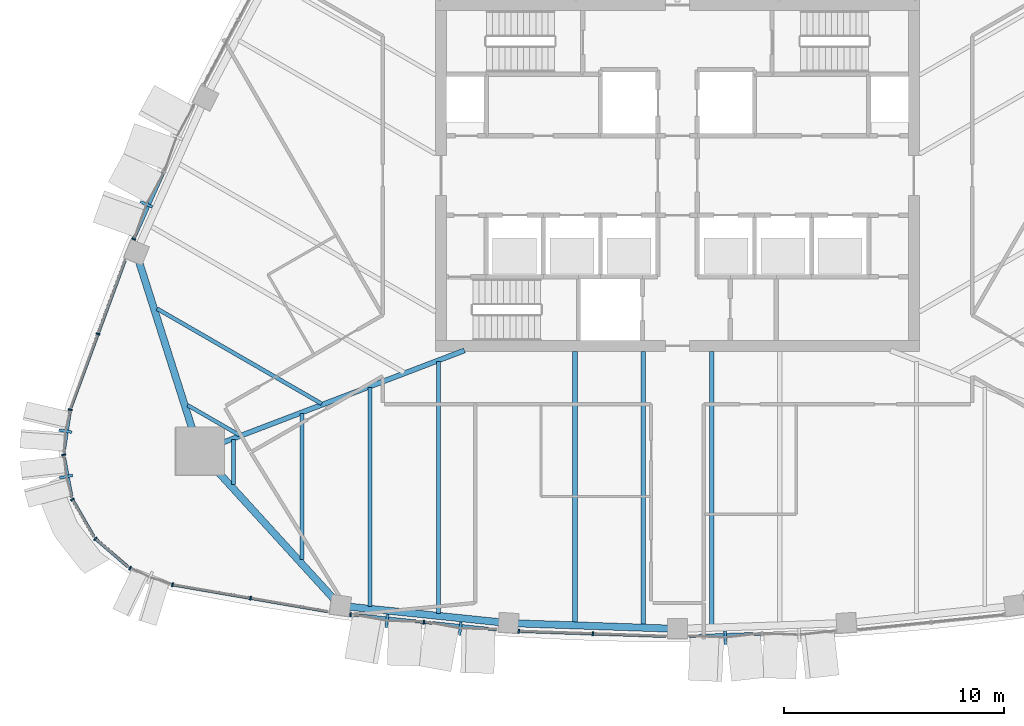
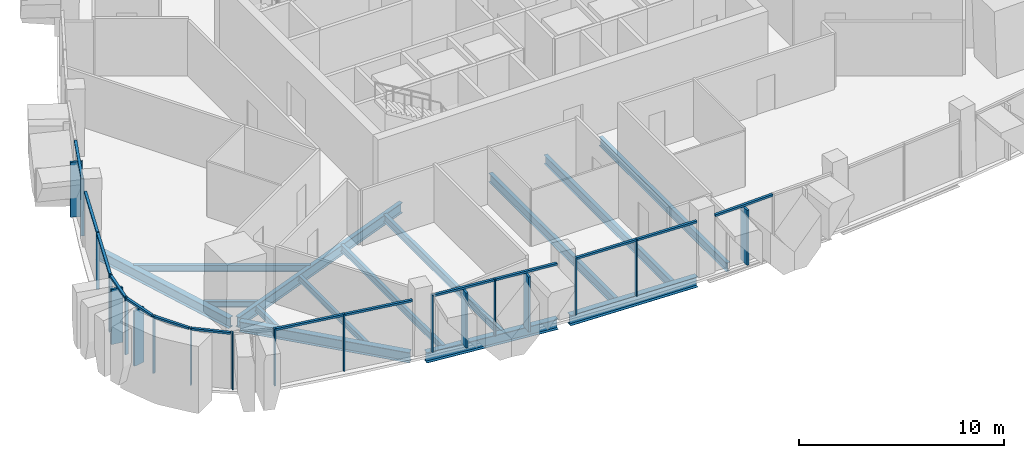
# One storey, part 2 of 18: 33 members, 14 beams, 11 elements without a shape of their own.
"""IFC4 building model written with IfcOpenShell, lengths in metres."""

from ifc_helpers import new_model, si_unit, direction, frame, origin, origin_2d, place, context, subcontext, project, spatial, rectangle, i_section, extrude, material, layer, layer_set, material_profile, profile_set, type_object, element, aggregate, save


model = new_model("IFC4")

# Units and contexts
model_context = context("Model", 3, precision=1e-05, world=origin(), true_north=direction((0.0, 1.0)))
body_context = subcontext(model_context, "Body", "Model", "MODEL_VIEW")
ifc_project = project(units=[si_unit("LENGTHUNIT", "METRE"), si_unit("AREAUNIT", "SQUARE_METRE"), si_unit("VOLUMEUNIT", "CUBIC_METRE"), si_unit("PLANEANGLEUNIT", "RADIAN"), si_unit("MASSUNIT", "GRAM", prefix="KILO")], contexts=[model_context])

# Site, building, storey
site_placement = place(None, origin())
site = spatial("IfcSite", under=ifc_project, at=site_placement, CompositionType="ELEMENT")
building_placement = place(site_placement, origin())
building = spatial("IfcBuilding", under=site, at=building_placement, Name="Sierra Prisma Convention Tower", CompositionType="ELEMENT")
storey_placement = place(building_placement, frame((0.0, 0.0, 251.0)))
storey = spatial("IfcBuildingStorey", under=building, at=storey_placement, Name="L56", CompositionType="ELEMENT", Elevation=251.0)

# Curtain wall, members
ifc_material_1 = material(Name="Aluminium and glass curtain wall", Category="aluminium")
ifc_layer_1 = layer(ifc_material_1, 0.179931640625)
ifc_layer_set_1 = layer_set([ifc_layer_1], Name="CW-2 Faceted crystal curtain wall")
curtain_wall_type_1 = type_object("IfcCurtainWallType", Name="CW-2 Faceted crystal curtain wall", PredefinedType="NOTDEFINED", material=ifc_layer_set_1)
curtain_wall_1_placement = place(storey_placement, origin())
curtain_wall_1 = element("IfcCurtainWall", 1, at=curtain_wall_1_placement, inside=storey, type_object=curtain_wall_type_1, Name="CW-2 S2 L56", PredefinedType="NOTDEFINED")
ifc_material_2 = material(Name="Aluminium 6063-T6 bronze anodised", Category="aluminium")
ifc_material_profile_1 = material_profile(ifc_material_2, rectangle(XDim=0.1201171875, YDim=0.60009765625, at=origin_2d()), Name="ALU RIDGE BLADE 120x600")
ifc_profile_set_1 = profile_set([ifc_material_profile_1], Name="Aluminium 6063-T6 bronze anodised")
member_type_1 = type_object("IfcMemberType", Name="CW hip bronze", PredefinedType="MULLION", material=ifc_profile_set_1)
member_1_placement = place(storey_placement, frame((-13.208740234375, -20.2646484375, 0.0), z_axis=(0.0, 0.0, 1.0), x_axis=(0.99474417326, -0.102391551236, 0.0)))
member_1 = element("IfcMember", 2, at=member_1_placement, type_object=member_type_1, Name="CW-2 ridge S2.1", PredefinedType="MULLION", context=body_context, shape_type="SweptSolid", body=[
    extrude(rectangle(XDim=0.1201171875, YDim=0.60009765625, at=origin_2d()), origin(), (0.0, 0.0, 1.0), 3.280029296875),
])
member_2_placement = place(storey_placement, frame((-9.875, -20.607666015625, 0.0), z_axis=(0.0, 0.0, 1.0), x_axis=(0.99474417326, -0.102391551236, 0.0)))
member_2 = element("IfcMember", 3, at=member_2_placement, type_object=member_type_1, Name="CW-2 ridge S2.2", PredefinedType="MULLION", context=body_context, shape_type="SweptSolid", body=[
    extrude(rectangle(XDim=0.1201171875, YDim=0.60009765625, at=origin_2d()), origin(), (0.0, 0.0, 1.0), 3.280029296875),
])

# Curtain wall, member
curtain_wall_2_placement = place(storey_placement, origin())
curtain_wall_2 = element("IfcCurtainWall", 4, at=curtain_wall_2_placement, inside=storey, type_object=curtain_wall_type_1, Name="CW-2 S4 L56", PredefinedType="NOTDEFINED")
member_3_placement = place(storey_placement, frame((2.171875, -21.019775390625, 0.0), z_axis=(0.0, 0.0, 1.0), x_axis=(0.999415563919, 0.034183776803, 0.0)))
member_3 = element("IfcMember", 5, at=member_3_placement, type_object=member_type_1, Name="CW-2 ridge S4.1", PredefinedType="MULLION", context=body_context, shape_type="SweptSolid", body=[
    extrude(rectangle(XDim=0.1201171875, YDim=0.60009765625, at=origin_2d()), origin(), (0.0, 0.0, 1.0), 3.280029296875),
])

curtain_wall_3_placement = place(storey_placement, origin())
curtain_wall_3 = element("IfcCurtainWall", 6, at=curtain_wall_3_placement, inside=storey, type_object=curtain_wall_type_1, Name="CW-2 NW5 L56", PredefinedType="NOTDEFINED")
member_4_placement = place(storey_placement, frame((-24.154052734375, -1.306884765625, 0.0), z_axis=(0.0, 0.0, 1.0), x_axis=(-0.408698402127, -0.912669499928, 0.0)))
member_4 = element("IfcMember", 7, at=member_4_placement, type_object=member_type_1, Name="CW-2 ridge NW5.2", PredefinedType="MULLION", context=body_context, shape_type="SweptSolid", body=[
    extrude(rectangle(XDim=0.1201171875, YDim=0.60009765625, at=origin_2d()), origin(), (0.0, 0.0, 1.0), 3.280029296875),
])

curtain_wall_4_placement = place(storey_placement, origin())
curtain_wall_4 = element("IfcCurtainWall", 8, at=curtain_wall_4_placement, inside=storey, type_object=curtain_wall_type_1, Name="CW-2 SW1 L56", PredefinedType="NOTDEFINED")
member_5_placement = place(storey_placement, frame((-27.83251953125, -11.626708984375, 0.0), z_axis=(0.0, 0.0, 1.0), x_axis=(-0.149482789255, -0.988764327692, 0.0)))
member_5 = element("IfcMember", 9, at=member_5_placement, type_object=member_type_1, Name="CW-2 ridge SW1.1", PredefinedType="MULLION", context=body_context, shape_type="SweptSolid", body=[
    extrude(rectangle(XDim=0.1201171875, YDim=0.60009765625, at=origin_2d()), origin(), (0.0, 0.0, 1.0), 3.280029296875),
])

curtain_wall_5_placement = place(storey_placement, origin())
curtain_wall_5 = element("IfcCurtainWall", 10, at=curtain_wall_5_placement, inside=storey, type_object=curtain_wall_type_1, Name="CW-2 SW2 L56", PredefinedType="NOTDEFINED")
member_6_placement = place(storey_placement, frame((-27.79443359375, -13.693603515625, 0.0), z_axis=(0.0, 0.0, 1.0), x_axis=(0.185692729038, -0.982607861958, 0.0)))
member_6 = element("IfcMember", 11, at=member_6_placement, type_object=member_type_1, Name="CW-2 ridge SW2.1", PredefinedType="MULLION", context=body_context, shape_type="SweptSolid", body=[
    extrude(rectangle(XDim=0.1201171875, YDim=0.60009765625, at=origin_2d()), origin(), (0.0, 0.0, 1.0), 3.280029296875),
])

# Curtain wall, members
ifc_material_3 = material(Name="Aluminium and glass curtain wall", Category="aluminium")
ifc_layer_2 = layer(ifc_material_3, 0.179931640625)
ifc_layer_set_2 = layer_set([ifc_layer_2], Name="CW-1 Plain shaft curtain wall")
curtain_wall_type_2 = type_object("IfcCurtainWallType", Name="CW-1 Plain shaft curtain wall", PredefinedType="NOTDEFINED", material=ifc_layer_set_2)
curtain_wall_6_placement = place(storey_placement, origin())
curtain_wall_6 = element("IfcCurtainWall", 12, at=curtain_wall_6_placement, inside=storey, type_object=curtain_wall_type_2, Name="CW-1 S1 L56", PredefinedType="NOTDEFINED")
ifc_material_4 = material(Name="Aluminium 6063-T6 bronze anodised", Category="aluminium")
ifc_material_profile_2 = material_profile(ifc_material_4, rectangle(XDim=0.179931640625, YDim=0.070068359375, at=origin_2d()), Name="ALU MULLION 70x180")
ifc_profile_set_2 = profile_set([ifc_material_profile_2], Name="Aluminium 6063-T6 bronze anodised")
member_type_2 = type_object("IfcMemberType", Name="CW mullion bronze", PredefinedType="MULLION", material=ifc_profile_set_2)
member_7_placement = place(storey_placement, frame((-22.958740234375, -18.603515625, 0.0), z_axis=(0.0, 0.0, 1.0), x_axis=(0.170120735044, 0.985423226592, 0.0)))
member_7 = element("IfcMember", 13, at=member_7_placement, type_object=member_type_2, Name="CW-1 mullion S1.1", PredefinedType="MULLION", context=body_context, shape_type="SweptSolid", body=[
    extrude(rectangle(XDim=0.179931640625, YDim=0.070068359375, at=origin_2d()), origin(), (0.0, 0.0, 1.0), 3.39990234375),
])
member_8_placement = place(storey_placement, frame((-19.412841796875, -19.215576171875, 0.0), z_axis=(0.0, 0.0, 1.0), x_axis=(0.170120735044, 0.985423226592, 0.0)))
member_8 = element("IfcMember", 14, at=member_8_placement, type_object=member_type_2, Name="CW-1 mullion S1.2", PredefinedType="MULLION", context=body_context, shape_type="SweptSolid", body=[
    extrude(rectangle(XDim=0.179931640625, YDim=0.070068359375, at=origin_2d()), origin(), (0.0, 0.0, 1.0), 3.39990234375),
])

# Member
member_9_placement = place(storey_placement, frame((-14.862548828125, -19.964599609375, 0.0), z_axis=(0.0, 0.0, 1.0), x_axis=(0.102391551236, 0.99474417326, 0.0)))
member_9 = element("IfcMember", 15, at=member_9_placement, type_object=member_type_2, Name="CW-1 mullion S2.1", PredefinedType="MULLION", context=body_context, shape_type="SweptSolid", body=[
    extrude(rectangle(XDim=0.179931640625, YDim=0.070068359375, at=origin_2d()), origin(), (0.0, 0.0, 1.0), 3.39990234375),
])

member_10_placement = place(storey_placement, frame((-11.52880859375, -20.3076171875, 0.0), z_axis=(0.0, 0.0, 1.0), x_axis=(0.102391551236, 0.99474417326, 0.0)))
member_10 = element("IfcMember", 16, at=member_10_placement, type_object=member_type_2, Name="CW-1 mullion S2.2", PredefinedType="MULLION", context=body_context, shape_type="SweptSolid", body=[
    extrude(rectangle(XDim=0.179931640625, YDim=0.070068359375, at=origin_2d()), origin(), (0.0, 0.0, 1.0), 3.39990234375),
])

# Curtain wall, members
curtain_wall_7_placement = place(storey_placement, origin())
curtain_wall_7 = element("IfcCurtainWall", 17, at=curtain_wall_7_placement, inside=storey, type_object=curtain_wall_type_2, Name="CW-1 S3 L56", PredefinedType="NOTDEFINED")
member_11_placement = place(storey_placement, frame((-7.215576171875, -20.717529296875, 0.0), z_axis=(0.0, 0.0, 1.0), x_axis=(0.034183776803, 0.999415563919, 0.0)))
member_11 = element("IfcMember", 18, at=member_11_placement, type_object=member_type_2, Name="CW-1 mullion S3.1", PredefinedType="MULLION", context=body_context, shape_type="SweptSolid", body=[
    extrude(rectangle(XDim=0.179931640625, YDim=0.070068359375, at=origin_2d()), origin(), (0.0, 0.0, 1.0), 3.39990234375),
])
member_12_placement = place(storey_placement, frame((-3.85009765625, -20.83251953125, 0.0), z_axis=(0.0, 0.0, 1.0), x_axis=(0.034183776803, 0.999415563919, 0.0)))
member_12 = element("IfcMember", 19, at=member_12_placement, type_object=member_type_2, Name="CW-1 mullion S3.2", PredefinedType="MULLION", context=body_context, shape_type="SweptSolid", body=[
    extrude(rectangle(XDim=0.179931640625, YDim=0.070068359375, at=origin_2d()), origin(), (0.0, 0.0, 1.0), 3.39990234375),
])

# Member
member_13_placement = place(storey_placement, frame((-24.720947265625, -2.88916015625, 0.0), z_axis=(0.0, 0.0, 1.0), x_axis=(0.912669499928, -0.408698402127, 0.0)))
member_13 = element("IfcMember", 20, at=member_13_placement, type_object=member_type_2, Name="CW-1 mullion NW5.3", PredefinedType="MULLION", context=body_context, shape_type="SweptSolid", body=[
    extrude(rectangle(XDim=0.179931640625, YDim=0.070068359375, at=origin_2d()), origin(), (0.0, 0.0, 1.0), 3.39990234375),
])

# Curtain wall, member
curtain_wall_8_placement = place(storey_placement, origin())
curtain_wall_8 = element("IfcCurtainWall", 21, at=curtain_wall_8_placement, inside=storey, type_object=curtain_wall_type_2, Name="CW-1 NW6 L56", PredefinedType="NOTDEFINED")
member_14_placement = place(storey_placement, frame((-26.34765625, -7.2041015625, 0.0), z_axis=(0.0, 0.0, 1.0), x_axis=(0.938461915231, -0.345382735037, 0.0)))
member_14 = element("IfcMember", 22, at=member_14_placement, type_object=member_type_2, Name="CW-1 mullion NW6.2", PredefinedType="MULLION", context=body_context, shape_type="SweptSolid", body=[
    extrude(rectangle(XDim=0.179931640625, YDim=0.070068359375, at=origin_2d()), origin(), (0.0, 0.0, 1.0), 3.39990234375),
])

# Member
member_15_placement = place(storey_placement, frame((-27.60791015625, -10.648681640625, 0.0), z_axis=(0.0, 0.0, 1.0), x_axis=(0.988764327692, -0.149482789255, 0.0)))
member_15 = element("IfcMember", 23, at=member_15_placement, type_object=member_type_2, Name="CW-1 mullion SW1.1", PredefinedType="MULLION", context=body_context, shape_type="SweptSolid", body=[
    extrude(rectangle(XDim=0.179931640625, YDim=0.070068359375, at=origin_2d()), origin(), (0.0, 0.0, 1.0), 3.39990234375),
])

member_16_placement = place(storey_placement, frame((-27.90576171875, -12.6962890625, 0.0), z_axis=(0.0, 0.0, 1.0), x_axis=(0.982607861958, 0.185692729038, 0.0)))
member_16 = element("IfcMember", 24, at=member_16_placement, type_object=member_type_2, Name="CW-1 mullion SW2.1", PredefinedType="MULLION", context=body_context, shape_type="SweptSolid", body=[
    extrude(rectangle(XDim=0.179931640625, YDim=0.070068359375, at=origin_2d()), origin(), (0.0, 0.0, 1.0), 3.39990234375),
])

# Curtain wall, member
curtain_wall_9_placement = place(storey_placement, origin())
curtain_wall_9 = element("IfcCurtainWall", 25, at=curtain_wall_9_placement, inside=storey, type_object=curtain_wall_type_2, Name="CW-1 SW3 L56", PredefinedType="NOTDEFINED")
member_17_placement = place(storey_placement, frame((-27.510009765625, -14.7275390625, 0.0), z_axis=(0.0, 0.0, 1.0), x_axis=(0.866025403784, 0.5, 0.0)))
member_17 = element("IfcMember", 26, at=member_17_placement, type_object=member_type_2, Name="CW-1 mullion SW3.1", PredefinedType="MULLION", context=body_context, shape_type="SweptSolid", body=[
    extrude(rectangle(XDim=0.179931640625, YDim=0.070068359375, at=origin_2d()), origin(), (0.0, 0.0, 1.0), 3.39990234375),
])

curtain_wall_10_placement = place(storey_placement, origin())
curtain_wall_10 = element("IfcCurtainWall", 27, at=curtain_wall_10_placement, inside=storey, type_object=curtain_wall_type_2, Name="CW-1 SW4 L56", PredefinedType="NOTDEFINED")
member_18_placement = place(storey_placement, frame((-26.46533203125, -16.513916015625, 0.0), z_axis=(0.0, 0.0, 1.0), x_axis=(0.652118551624, 0.758117005895, 0.0)))
member_18 = element("IfcMember", 28, at=member_18_placement, type_object=member_type_2, Name="CW-1 mullion SW4.1", PredefinedType="MULLION", context=body_context, shape_type="SweptSolid", body=[
    extrude(rectangle(XDim=0.179931640625, YDim=0.070068359375, at=origin_2d()), origin(), (0.0, 0.0, 1.0), 3.39990234375),
])

curtain_wall_11_placement = place(storey_placement, origin())
curtain_wall_11 = element("IfcCurtainWall", 29, at=curtain_wall_11_placement, inside=storey, type_object=curtain_wall_type_1, Name="CW-2 SW5 L56", PredefinedType="NOTDEFINED")
member_19_placement = place(storey_placement, frame((-24.88916015625, -17.8544921875, 0.0), z_axis=(0.0, 0.0, 1.0), x_axis=(0.364926270923, 0.931036420765, 0.0)))
member_19 = element("IfcMember", 30, at=member_19_placement, type_object=member_type_2, Name="CW-1 mullion SW5.1", PredefinedType="MULLION", context=body_context, shape_type="SweptSolid", body=[
    extrude(rectangle(XDim=0.179931640625, YDim=0.070068359375, at=origin_2d()), origin(), (0.0, 0.0, 1.0), 3.39990234375),
])
aggregate(curtain_wall_11, [member_19])

# Member
ifc_material_5 = material(Name="Aluminium 6063-T6 bronze anodised", Category="aluminium")
ifc_material_profile_3 = material_profile(ifc_material_5, rectangle(XDim=0.139892578125, YDim=0.1201171875, at=origin_2d()), Name="ALU TRANSOM 120x140")
ifc_profile_set_3 = profile_set([ifc_material_profile_3], Name="Aluminium 6063-T6 bronze anodised")
member_type_3 = type_object("IfcMemberType", Name="CW transom bronze", PredefinedType="USERDEFINED", material=ifc_profile_set_3)
member_20_placement = place(storey_placement, frame((-22.92431640625, -18.609375, 3.340087890625), z_axis=(0.985419739795, -0.17014093106, 0.0), x_axis=(0.17014093106, 0.985419739795, 0.0)))
member_20 = element("IfcMember", 31, at=member_20_placement, type_object=member_type_3, Name="CW-1 transom S1.1", ObjectType="TRANSOM", PredefinedType="USERDEFINED", context=body_context, shape_type="SweptSolid", body=[
    extrude(rectangle(XDim=0.139892578125, YDim=0.1201171875, at=origin_2d()), origin(), (0.0, 0.0, 1.0), 3.528564453125),
])

member_21_placement = place(storey_placement, frame((-19.378173828125, -19.2216796875, 3.340087890625), z_axis=(0.985431338238, -0.170073741707, 0.0), x_axis=(0.170073741707, 0.985431338238, 0.0)))
member_21 = element("IfcMember", 32, at=member_21_placement, type_object=member_type_3, Name="CW-1 transom S1.2", ObjectType="TRANSOM", PredefinedType="USERDEFINED", context=body_context, shape_type="SweptSolid", body=[
    extrude(rectangle(XDim=0.139892578125, YDim=0.1201171875, at=origin_2d()), origin(), (0.0, 0.0, 1.0), 3.528564453125),
])

aggregate(curtain_wall_6, [member_7, member_8, member_20, member_21])

member_22_placement = place(storey_placement, frame((-14.82763671875, -19.968017578125, 3.340087890625), z_axis=(0.994738170949, -0.102449847524, 0.0), x_axis=(0.102449847524, 0.994738170949, 0.0)))
member_22 = element("IfcMember", 33, at=member_22_placement, type_object=member_type_3, Name="CW-1 transom S2.1", ObjectType="TRANSOM", PredefinedType="USERDEFINED", context=body_context, shape_type="SweptSolid", body=[
    extrude(rectangle(XDim=0.139892578125, YDim=0.1201171875, at=origin_2d()), origin(), (0.0, 0.0, 1.0), 3.281494140625),
])

member_23_placement = place(storey_placement, frame((-11.493896484375, -20.311279296875, 3.340087890625), z_axis=(0.994745750521, -0.10237622683, 0.0), x_axis=(0.10237622683, 0.994745750521, 0.0)))
member_23 = element("IfcMember", 34, at=member_23_placement, type_object=member_type_3, Name="CW-1 transom S2.2", ObjectType="TRANSOM", PredefinedType="USERDEFINED", context=body_context, shape_type="SweptSolid", body=[
    extrude(rectangle(XDim=0.139892578125, YDim=0.1201171875, at=origin_2d()), origin(), (0.0, 0.0, 1.0), 3.281494140625),
])

aggregate(curtain_wall_1, [member_9, member_10, member_22, member_1, member_23, member_2])

member_24_placement = place(storey_placement, frame((-7.180419921875, -20.71875, 3.340087890625), z_axis=(0.99941728892, -0.03413330643, 0.0), x_axis=(0.03413330643, 0.99941728892, 0.0)))
member_24 = element("IfcMember", 35, at=member_24_placement, type_object=member_type_3, Name="CW-1 transom S3.1", ObjectType="TRANSOM", PredefinedType="USERDEFINED", context=body_context, shape_type="SweptSolid", body=[
    extrude(rectangle(XDim=0.139892578125, YDim=0.1201171875, at=origin_2d()), origin(), (0.0, 0.0, 1.0), 3.29736328125),
])

member_25_placement = place(storey_placement, frame((-3.815185546875, -20.833740234375, 3.340087890625), z_axis=(0.999414760369, -0.034207261764, 0.0), x_axis=(0.034207261764, 0.999414760369, 0.0)))
member_25 = element("IfcMember", 36, at=member_25_placement, type_object=member_type_3, Name="CW-1 transom S3.2", ObjectType="TRANSOM", PredefinedType="USERDEFINED", context=body_context, shape_type="SweptSolid", body=[
    extrude(rectangle(XDim=0.139892578125, YDim=0.1201171875, at=origin_2d()), origin(), (0.0, 0.0, 1.0), 3.29736328125),
])

aggregate(curtain_wall_7, [member_11, member_12, member_24, member_25])

member_26_placement = place(storey_placement, frame((0.519775390625, -20.946533203125, 3.340087890625), z_axis=(0.999414760369, 0.034207261764, 0.0), x_axis=(-0.034207261764, 0.999414760369, 0.0)))
member_26 = element("IfcMember", 37, at=member_26_placement, type_object=member_type_3, Name="CW-1 transom S4.1", ObjectType="TRANSOM", PredefinedType="USERDEFINED", context=body_context, shape_type="SweptSolid", body=[
    extrude(rectangle(XDim=0.139892578125, YDim=0.1201171875, at=origin_2d()), origin(), (0.0, 0.0, 1.0), 3.29736328125),
])

aggregate(curtain_wall_2, [member_26, member_3])

member_27_placement = place(storey_placement, frame((-23.36572265625, 0.1376953125, 3.340087890625), z_axis=(-0.408684160297, -0.912675877364, 0.0), x_axis=(0.912675877364, -0.408684160297, 0.0)))
member_27 = element("IfcMember", 38, at=member_27_placement, type_object=member_type_3, Name="CW-1 transom NW5.2", ObjectType="TRANSOM", PredefinedType="USERDEFINED", context=body_context, shape_type="SweptSolid", body=[
    extrude(rectangle(XDim=0.139892578125, YDim=0.1201171875, at=origin_2d()), origin(), (0.0, 0.0, 1.0), 3.281494140625),
])

aggregate(curtain_wall_3, [member_13, member_27, member_4])

member_28_placement = place(storey_placement, frame((-25.116943359375, -3.85986328125, 3.340087890625), z_axis=(-0.345323776593, -0.938483611642, 0.0), x_axis=(0.938483611642, -0.345323776593, 0.0)))
member_28 = element("IfcMember", 39, at=member_28_placement, type_object=member_type_3, Name="CW-1 transom NW6.1", ObjectType="TRANSOM", PredefinedType="USERDEFINED", context=body_context, shape_type="SweptSolid", body=[
    extrude(rectangle(XDim=0.139892578125, YDim=0.1201171875, at=origin_2d()), origin(), (0.0, 0.0, 1.0), 3.528564453125),
])

member_29_placement = place(storey_placement, frame((-26.359619140625, -7.237060546875, 3.340087890625), z_axis=(-0.345407140143, -0.938452933044, 0.0), x_axis=(0.938452933044, -0.345407140143, 0.0)))
member_29 = element("IfcMember", 40, at=member_29_placement, type_object=member_type_3, Name="CW-1 transom NW6.2", ObjectType="TRANSOM", PredefinedType="USERDEFINED", context=body_context, shape_type="SweptSolid", body=[
    extrude(rectangle(XDim=0.139892578125, YDim=0.1201171875, at=origin_2d()), origin(), (0.0, 0.0, 1.0), 3.528564453125),
])

aggregate(curtain_wall_8, [member_14, member_28, member_29])

member_30_placement = place(storey_placement, frame((-27.613037109375, -10.68310546875, 3.340087890625), z_axis=(-0.149415926956, -0.988774433717, 0.0), x_axis=(0.988774433717, -0.149415926956, 0.0)))
member_30 = element("IfcMember", 41, at=member_30_placement, type_object=member_type_3, Name="CW-1 transom SW1.1", ObjectType="TRANSOM", PredefinedType="USERDEFINED", context=body_context, shape_type="SweptSolid", body=[
    extrude(rectangle(XDim=0.139892578125, YDim=0.1201171875, at=origin_2d()), origin(), (0.0, 0.0, 1.0), 1.931396484375),
])

aggregate(curtain_wall_4, [member_15, member_30, member_5])

member_31_placement = place(storey_placement, frame((-27.899169921875, -12.730712890625, 3.340087890625), z_axis=(0.18570035161, -0.982606421418, 0.0), x_axis=(0.982606421418, 0.18570035161, 0.0)))
member_31 = element("IfcMember", 42, at=member_31_placement, type_object=member_type_3, Name="CW-1 transom SW2.1", ObjectType="TRANSOM", PredefinedType="USERDEFINED", context=body_context, shape_type="SweptSolid", body=[
    extrude(rectangle(XDim=0.139892578125, YDim=0.1201171875, at=origin_2d()), origin(), (0.0, 0.0, 1.0), 1.931396484375),
])

aggregate(curtain_wall_5, [member_16, member_31, member_6])

member_32_placement = place(storey_placement, frame((-27.49267578125, -14.7578125, 3.340087890625), z_axis=(0.500054350137, -0.865994022444, 0.0), x_axis=(0.865994022444, 0.500054350137, 0.0)))
member_32 = element("IfcMember", 43, at=member_32_placement, type_object=member_type_3, Name="CW-1 transom SW3.1", ObjectType="TRANSOM", PredefinedType="USERDEFINED", context=body_context, shape_type="SweptSolid", body=[
    extrude(rectangle(XDim=0.139892578125, YDim=0.1201171875, at=origin_2d()), origin(), (0.0, 0.0, 1.0), 1.931396484375),
])

aggregate(curtain_wall_9, [member_17, member_32])

member_33_placement = place(storey_placement, frame((-26.43896484375, -16.53662109375, 3.340087890625), z_axis=(0.758086448141, -0.652154074697, 0.0), x_axis=(0.652154074697, 0.758086448141, 0.0)))
member_33 = element("IfcMember", 44, at=member_33_placement, type_object=member_type_3, Name="CW-1 transom SW4.1", ObjectType="TRANSOM", PredefinedType="USERDEFINED", context=body_context, shape_type="SweptSolid", body=[
    extrude(rectangle(XDim=0.139892578125, YDim=0.1201171875, at=origin_2d()), origin(), (0.0, 0.0, 1.0), 1.931396484375),
])

aggregate(curtain_wall_10, [member_18, member_33])

# Beams
ifc_material_6 = material(Name="Steel ASTM A992 Gr 50", Category="steel")
ifc_material_profile_4 = material_profile(ifc_material_6, i_section(OverallWidth=0.172119140625, OverallDepth=0.35791015625, WebThickness=0.0078125, FlangeThickness=0.01318359375, at=origin_2d()), Name="W360x57")
ifc_profile_set_4 = profile_set([ifc_material_profile_4], Name="Steel ASTM A992 Gr 50")
beam_type_1 = type_object("IfcBeamType", Name="Floor joist W360x57", PredefinedType="JOIST", material=ifc_profile_set_4)
beam_1_placement = place(storey_placement, frame((-20.18212890625, -14.060546875, -0.3291015625), z_axis=(0.0, 1.0, 0.0), x_axis=(-1.0, 0.0, 0.0)))
element("IfcBeam", 45, at=beam_1_placement, inside=storey, type_object=beam_type_1, Name="Floor joist L56 S01", PredefinedType="JOIST", context=body_context, shape_type="SweptSolid", body=[
    extrude(i_section(OverallWidth=0.172119140625, OverallDepth=0.35791015625, WebThickness=0.0078125, FlangeThickness=0.01318359375, at=origin_2d()), origin(), (0.0, 0.0, 1.0), 2.054443359375),
])
beam_2_placement = place(storey_placement, frame((-17.0771484375, -17.467529296875, -0.3291015625), z_axis=(0.0, 1.0, 0.0), x_axis=(-1.0, 0.0, 0.0)))
element("IfcBeam", 46, at=beam_2_placement, inside=storey, type_object=beam_type_1, Name="Floor joist L56 S02", PredefinedType="JOIST", context=body_context, shape_type="SweptSolid", body=[
    extrude(i_section(OverallWidth=0.172119140625, OverallDepth=0.35791015625, WebThickness=0.0078125, FlangeThickness=0.01318359375, at=origin_2d()), origin(), (0.0, 0.0, 1.0), 6.644775390625),
])
beam_3_placement = place(storey_placement, frame((-22.26806640625, -10.447998046875, -0.3291015625), z_axis=(0.866016445914, -0.500015515166, 0.0), x_axis=(0.500015515166, 0.866016445914, 0.0)))
element("IfcBeam", 47, at=beam_3_placement, inside=storey, type_object=beam_type_1, Name="Floor joist L56 NW14", PredefinedType="JOIST", context=body_context, shape_type="SweptSolid", body=[
    extrude(i_section(OverallWidth=0.172119140625, OverallDepth=0.35791015625, WebThickness=0.0078125, FlangeThickness=0.01318359375, at=origin_2d()), origin(), (0.0, 0.0, 1.0), 2.71630859375),
])
ifc_material_7 = material(Name="Steel ASTM A992 Gr 50", Category="steel")
ifc_material_profile_5 = material_profile(ifc_material_7, i_section(OverallWidth=0.177978515625, OverallDepth=0.406982421875, WebThickness=0.0078125, FlangeThickness=0.0126953125, at=origin_2d()), Name="W410x60")
ifc_profile_set_5 = profile_set([ifc_material_profile_5], Name="Steel ASTM A992 Gr 50")
beam_type_2 = type_object("IfcBeamType", Name="Floor joist W410x60", PredefinedType="JOIST", material=ifc_profile_set_5)
beam_4_placement = place(storey_placement, frame((-13.97216796875, -19.591064453125, -0.353515625), z_axis=(0.0, 1.0, 0.0), x_axis=(-1.0, 0.0, 0.0)))
element("IfcBeam", 48, at=beam_4_placement, inside=storey, type_object=beam_type_2, Name="Floor joist L56 S03", PredefinedType="JOIST", context=body_context, shape_type="SweptSolid", body=[
    extrude(i_section(OverallWidth=0.177978515625, OverallDepth=0.406982421875, WebThickness=0.0078125, FlangeThickness=0.0126953125, at=origin_2d()), origin(), (0.0, 0.0, 1.0), 9.95166015625),
])
beam_5_placement = place(storey_placement, frame((-23.665771484375, -6.0556640625, -0.353515625), z_axis=(0.866028593262, -0.499994475622, 0.0), x_axis=(0.499994475622, 0.866028593262, 0.0)))
element("IfcBeam", 49, at=beam_5_placement, inside=storey, type_object=beam_type_2, Name="Floor joist L56 NW13", PredefinedType="JOIST", context=body_context, shape_type="SweptSolid", body=[
    extrude(i_section(OverallWidth=0.177978515625, OverallDepth=0.406982421875, WebThickness=0.0078125, FlangeThickness=0.0126953125, at=origin_2d()), origin(), (0.0, 0.0, 1.0), 8.6494140625),
])
ifc_material_8 = material(Name="Steel ASTM A992 Gr 50", Category="steel")
ifc_material_profile_6 = material_profile(ifc_material_8, i_section(OverallWidth=0.18994140625, OverallDepth=0.45703125, WebThickness=0.009033203125, FlangeThickness=0.014404296875, at=origin_2d()), Name="W460x74")
ifc_profile_set_6 = profile_set([ifc_material_profile_6], Name="Steel ASTM A992 Gr 50")
beam_type_3 = type_object("IfcBeamType", Name="Floor joist W460x74", PredefinedType="JOIST", material=ifc_profile_set_6)
beam_6_placement = place(storey_placement, frame((-10.867431640625, -19.91064453125, -0.37841796875), z_axis=(0.0, 1.0, 0.0), x_axis=(-1.0, 0.0, 0.0)))
element("IfcBeam", 50, at=beam_6_placement, inside=storey, type_object=beam_type_3, Name="Floor joist L56 S04", PredefinedType="JOIST", context=body_context, shape_type="SweptSolid", body=[
    extrude(i_section(OverallWidth=0.18994140625, OverallDepth=0.45703125, WebThickness=0.009033203125, FlangeThickness=0.014404296875, at=origin_2d()), origin(), (0.0, 0.0, 1.0), 11.45458984375),
])
ifc_material_9 = material(Name="Steel ASTM A992 Gr 50", Category="steel")
ifc_material_profile_7 = material_profile(ifc_material_9, i_section(OverallWidth=0.208984375, OverallDepth=0.532958984375, WebThickness=0.01025390625, FlangeThickness=0.015625, at=origin_2d()), Name="W530x92")
ifc_profile_set_7 = profile_set([ifc_material_profile_7], Name="Steel ASTM A992 Gr 50")
beam_type_4 = type_object("IfcBeamType", Name="Floor joist W530x92", PredefinedType="JOIST", material=ifc_profile_set_7)
beam_7_placement = place(storey_placement, frame((-4.657470703125, -20.34228515625, -0.41650390625), z_axis=(0.0, 1.0, 0.0), x_axis=(-1.0, 0.0, 0.0)))
element("IfcBeam", 51, at=beam_7_placement, inside=storey, type_object=beam_type_4, Name="Floor joist L56 S06", PredefinedType="JOIST", context=body_context, shape_type="SweptSolid", body=[
    extrude(i_section(OverallWidth=0.208984375, OverallDepth=0.532958984375, WebThickness=0.01025390625, FlangeThickness=0.015625, at=origin_2d()), origin(), (0.0, 0.0, 1.0), 12.34228515625),
])
for number, where, z_axis, x_axis, name in (
    (52, (-1.552490234375, -20.448486328125, -0.41650390625), (0.0, 1.0, 0.0), (-1.0, 0.0, 0.0), "Floor joist L56 S07"),
    (53, (1.552490234375, -20.448486328125, -0.41650390625), (0.0, 1.0, 0.0), (-1.0, 0.0, 0.0), "Floor joist L56 S08"),
):
    element("IfcBeam", number, at=place(storey_placement, frame(where, z_axis=z_axis, x_axis=x_axis)), inside=storey, type_object=beam_type_4, Name=name, PredefinedType="JOIST", context=body_context, shape_type="SweptSolid", body=[
        extrude(i_section(OverallWidth=0.208984375, OverallDepth=0.532958984375, WebThickness=0.01025390625, FlangeThickness=0.015625, at=origin_2d()), origin(), (0.0, 0.0, 1.0), 12.448486328125),
    ])
ifc_material_10 = material(Name="Steel ASTM A992 Gr 50", Category="steel")
ifc_material_profile_8 = material_profile(ifc_material_10, i_section(OverallWidth=0.22998046875, OverallDepth=0.616943359375, WebThickness=0.01318359375, FlangeThickness=0.022216796875, at=origin_2d()), Name="W610x140")
ifc_profile_set_8 = profile_set([ifc_material_profile_8], Name="Steel ASTM A992 Gr 50")
beam_type_5 = type_object("IfcBeamType", Name="Radial girder W610x140", PredefinedType="BEAM", material=ifc_profile_set_8)
beam_8_placement = place(storey_placement, frame((-21.5146484375, -12.464599609375, -0.45849609375), z_axis=(0.93443699897, 0.356128480967, 0.0), x_axis=(-0.356128480967, 0.93443699897, 0.0)))
element("IfcBeam", 54, at=beam_8_placement, inside=storey, type_object=beam_type_5, Name="Radial girder L56 SW", PredefinedType="BEAM", context=body_context, shape_type="SweptSolid", body=[
    extrude(i_section(OverallWidth=0.22998046875, OverallDepth=0.616943359375, WebThickness=0.01318359375, FlangeThickness=0.022216796875, at=origin_2d()), origin(), (0.0, 0.0, 1.0), 12.656494140625),
])
ifc_material_11 = material(Name="Steel ASTM A992 Gr 50", Category="steel")
ifc_material_profile_9 = material_profile(ifc_material_11, i_section(OverallWidth=0.324951171875, OverallDepth=0.615966796875, WebThickness=0.013916015625, FlangeThickness=0.021484375, at=origin_2d()), Name="W610x174")
ifc_profile_set_9 = profile_set([ifc_material_profile_9], Name="Steel ASTM A992 Gr 50")
beam_type_6 = type_object("IfcBeamType", Name="Spandrel beam W610x174", PredefinedType="BEAM", material=ifc_profile_set_9)
beam_9_placement = place(storey_placement, frame((-21.5341796875, -12.7685546875, -0.4580078125), z_axis=(0.673606489707, -0.739090181929, 0.0), x_axis=(0.739090181929, 0.673606489707, 0.0)))
element("IfcBeam", 55, at=beam_9_placement, inside=storey, type_object=beam_type_6, Name="Spandrel L56-01", PredefinedType="BEAM", context=body_context, shape_type="SweptSolid", body=[
    extrude(i_section(OverallWidth=0.324951171875, OverallDepth=0.615966796875, WebThickness=0.013916015625, FlangeThickness=0.021484375, at=origin_2d()), origin(), (0.0, 0.0, 1.0), 8.727783203125),
])
beam_10_placement = place(storey_placement, frame((-15.012451171875, -19.597412109375, -0.4580078125), z_axis=(0.994745326885, -0.102380343035, 0.0), x_axis=(0.102380343035, 0.994745326885, 0.0)))
element("IfcBeam", 56, at=beam_10_placement, inside=storey, type_object=beam_type_6, Name="Spandrel L56-02", PredefinedType="BEAM", context=body_context, shape_type="SweptSolid", body=[
    extrude(i_section(OverallWidth=0.324951171875, OverallDepth=0.615966796875, WebThickness=0.013916015625, FlangeThickness=0.021484375, at=origin_2d()), origin(), (0.0, 0.0, 1.0), 7.0322265625),
])
beam_11_placement = place(storey_placement, frame((-7.3583984375, -20.362548828125, -0.4580078125), z_axis=(0.999415158265, -0.03419563467, 0.0), x_axis=(0.03419563467, 0.999415158265, 0.0)))
element("IfcBeam", 57, at=beam_11_placement, inside=storey, type_object=beam_type_6, Name="Spandrel L56-03", PredefinedType="BEAM", context=body_context, shape_type="SweptSolid", body=[
    extrude(i_section(OverallWidth=0.324951171875, OverallDepth=0.615966796875, WebThickness=0.013916015625, FlangeThickness=0.021484375, at=origin_2d()), origin(), (0.0, 0.0, 1.0), 7.032470703125),
])
beam_12_placement = place(storey_placement, frame((-24.471923828125, -3.947998046875, -0.4580078125), z_axis=(0.30327355022, -0.952903538527, 0.0), x_axis=(0.952903538527, 0.30327355022, 0.0)))
element("IfcBeam", 58, at=beam_12_placement, inside=storey, type_object=beam_type_6, Name="Spandrel L56-18", PredefinedType="BEAM", context=body_context, shape_type="SweptSolid", body=[
    extrude(i_section(OverallWidth=0.324951171875, OverallDepth=0.615966796875, WebThickness=0.013916015625, FlangeThickness=0.021484375, at=origin_2d()), origin(), (0.0, 0.0, 1.0), 8.794921875),
])

save(model, "model.ifc")
